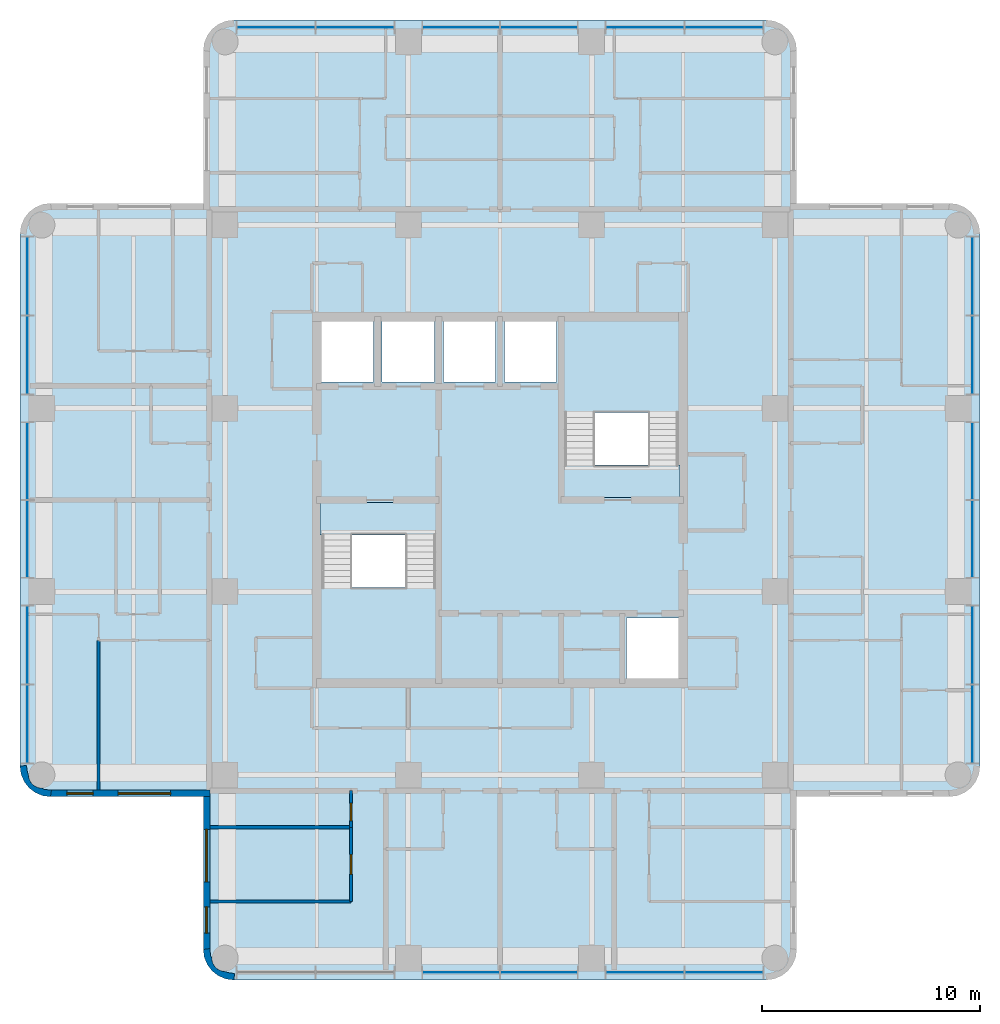
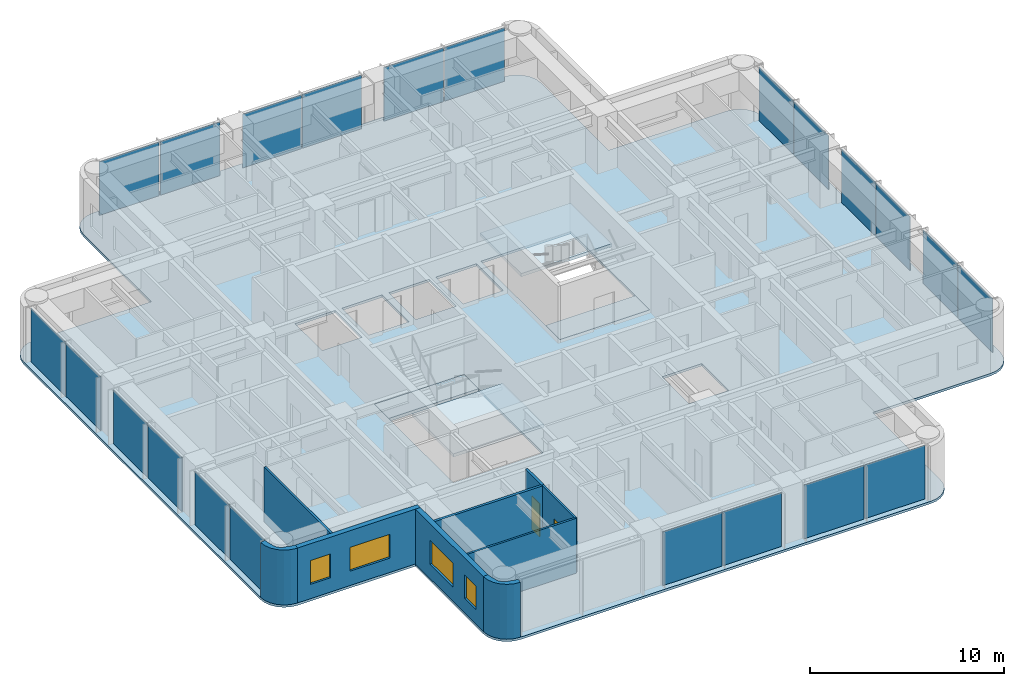
# One storey, part 3 of 10: 22 plates, 9 walls, 5 slabs, 4 windows, 2 doors, 6 openings, 6 elements without a shape of their own.
"""IFC4 building model written with IfcOpenShell, lengths in metres."""

from ifc_helpers import new_model, si_unit, direction, frame, frame_2d, origin, origin_2d, place, context, subcontext, project, spatial, polyline, rectangle, outline, extrude, material, layer, layer_set, type_object, element, fill, aggregate, save


model = new_model("IFC4")

# Units and contexts
model_context = context("Model", 3, precision=1e-05, world=origin(), true_north=direction((0.0, 1.0)))
body_context = subcontext(model_context, "Body", "Model", "MODEL_VIEW")
ifc_project = project(units=[si_unit("LENGTHUNIT", "METRE"), si_unit("AREAUNIT", "SQUARE_METRE"), si_unit("VOLUMEUNIT", "CUBIC_METRE"), si_unit("PLANEANGLEUNIT", "RADIAN"), si_unit("MASSUNIT", "GRAM", prefix="KILO")], contexts=[model_context])

# Site, building, storey
site_placement = place(None, origin())
site = spatial("IfcSite", under=ifc_project, at=site_placement, CompositionType="ELEMENT")
building_placement = place(site_placement, origin())
building = spatial("IfcBuilding", under=site, at=building_placement, Name="Torre Alcanfor", CompositionType="ELEMENT")
storey_placement = place(building_placement, frame((0.0, 0.0, 286.5)))
storey = spatial("IfcBuildingStorey", under=building, at=storey_placement, Name="L75", CompositionType="ELEMENT", Elevation=286.5)

# Curtain wall, plates
ifc_material_1 = material(Name="Aluminium and glass", Category="aluminium")
curtain_wall_type = type_object("IfcCurtainWallType", Name="CW-A unitised apartment glazing with vertical FIN", PredefinedType="NOTDEFINED", material=ifc_material_1)
curtain_wall_1_placement = place(storey_placement, origin())
curtain_wall_1 = element("IfcCurtainWall", 1, at=curtain_wall_1_placement, inside=storey, type_object=curtain_wall_type, Name="Curtain wall CW-A L75 2", PredefinedType="NOTDEFINED")
ifc_material_2 = material(Name="Glass", Category="glass")
ifc_layer_1 = layer(ifc_material_2, 0.028076171875)
ifc_layer_set_1 = layer_set([ifc_layer_1], Name="CW-A clear double glazed unit")
plate_type = type_object("IfcPlateType", Name="CW-A clear double glazed unit", PredefinedType="CURTAIN_PANEL", material=ifc_layer_set_1)
plate_1_placement = place(storey_placement, frame((7.75, 39.664794921875, 0.0), z_axis=(0.0, 0.0, 1.0), x_axis=(0.0, -1.0, 0.0)))
plate_1 = element("IfcPlate", 2, at=plate_1_placement, type_object=plate_type, Name="CW-A panel 1.1.1", PredefinedType="CURTAIN_PANEL", context=body_context, shape_type="SweptSolid", body=[
    extrude(rectangle(XDim=3.55322265625, YDim=0.028076171875, at=origin_2d()), origin(), (0.0, 0.0, 1.0), 3.385009765625),
])
plate_2_placement = place(storey_placement, frame((7.75, 36.046630859375, 0.0), z_axis=(0.0, 0.0, 1.0), x_axis=(0.0, -1.0, 0.0)))
plate_2 = element("IfcPlate", 3, at=plate_2_placement, type_object=plate_type, Name="CW-A panel 1.2.1", PredefinedType="CURTAIN_PANEL", context=body_context, shape_type="SweptSolid", body=[
    extrude(rectangle(XDim=3.55322265625, YDim=0.028076171875, at=origin_2d()), origin(), (0.0, 0.0, 1.0), 3.385009765625),
])
plate_3_placement = place(storey_placement, frame((7.75, 31.18115234375, 0.0), z_axis=(0.0, 0.0, 1.0), x_axis=(0.0, -1.0, 0.0)))
plate_3 = element("IfcPlate", 4, at=plate_3_placement, type_object=plate_type, Name="CW-A panel 2.1.1", PredefinedType="CURTAIN_PANEL", context=body_context, shape_type="SweptSolid", body=[
    extrude(rectangle(XDim=3.49755859375, YDim=0.028076171875, at=origin_2d()), origin(), (0.0, 0.0, 1.0), 3.385009765625),
])
plate_4_placement = place(storey_placement, frame((7.75, 27.61865234375, 0.0), z_axis=(0.0, 0.0, 1.0), x_axis=(0.0, -1.0, 0.0)))
plate_4 = element("IfcPlate", 5, at=plate_4_placement, type_object=plate_type, Name="CW-A panel 2.2.1", PredefinedType="CURTAIN_PANEL", context=body_context, shape_type="SweptSolid", body=[
    extrude(rectangle(XDim=3.49755859375, YDim=0.028076171875, at=origin_2d()), origin(), (0.0, 0.0, 1.0), 3.385009765625),
])
plate_5_placement = place(storey_placement, frame((7.75, 22.75341796875, 0.0), z_axis=(0.0, 0.0, 1.0), x_axis=(0.0, -1.0, 0.0)))
plate_5 = element("IfcPlate", 6, at=plate_5_placement, type_object=plate_type, Name="CW-A panel 3.1.1", PredefinedType="CURTAIN_PANEL", context=body_context, shape_type="SweptSolid", body=[
    extrude(rectangle(XDim=3.55322265625, YDim=0.028076171875, at=origin_2d()), origin(), (0.0, 0.0, 1.0), 3.385009765625),
])
plate_6_placement = place(storey_placement, frame((7.75, 19.135009765625, 0.0), z_axis=(0.0, 0.0, 1.0), x_axis=(0.0, -1.0, 0.0)))
plate_6 = element("IfcPlate", 7, at=plate_6_placement, type_object=plate_type, Name="CW-A panel 3.2.1", PredefinedType="CURTAIN_PANEL", context=body_context, shape_type="SweptSolid", body=[
    extrude(rectangle(XDim=3.55322265625, YDim=0.028076171875, at=origin_2d()), origin(), (0.0, 0.0, 1.0), 3.385009765625),
])
aggregate(curtain_wall_1, [plate_1, plate_2, plate_3, plate_4, plate_5, plate_6])

curtain_wall_2_placement = place(storey_placement, origin())
curtain_wall_2 = element("IfcCurtainWall", 8, at=curtain_wall_2_placement, inside=storey, type_object=curtain_wall_type, Name="Curtain wall CW-A L75 5", PredefinedType="NOTDEFINED")
plate_7_placement = place(storey_placement, frame((27.61865234375, 7.75, 0.0), z_axis=(0.0, 0.0, 1.0), x_axis=(1.0, 0.0, 0.0)))
plate_7 = element("IfcPlate", 9, at=plate_7_placement, type_object=plate_type, Name="CW-A panel 2.1.1", PredefinedType="CURTAIN_PANEL", context=body_context, shape_type="SweptSolid", body=[
    extrude(rectangle(XDim=3.49755859375, YDim=0.028076171875, at=origin_2d()), origin(), (0.0, 0.0, 1.0), 3.385009765625),
])
plate_8_placement = place(storey_placement, frame((31.18115234375, 7.75, 0.0), z_axis=(0.0, 0.0, 1.0), x_axis=(1.0, 0.0, 0.0)))
plate_8 = element("IfcPlate", 10, at=plate_8_placement, type_object=plate_type, Name="CW-A panel 2.2.1", PredefinedType="CURTAIN_PANEL", context=body_context, shape_type="SweptSolid", body=[
    extrude(rectangle(XDim=3.49755859375, YDim=0.028076171875, at=origin_2d()), origin(), (0.0, 0.0, 1.0), 3.385009765625),
])
plate_9_placement = place(storey_placement, frame((36.046630859375, 7.75, 0.0), z_axis=(0.0, 0.0, 1.0), x_axis=(1.0, 0.0, 0.0)))
plate_9 = element("IfcPlate", 11, at=plate_9_placement, type_object=plate_type, Name="CW-A panel 3.1.1", PredefinedType="CURTAIN_PANEL", context=body_context, shape_type="SweptSolid", body=[
    extrude(rectangle(XDim=3.55322265625, YDim=0.028076171875, at=origin_2d()), origin(), (0.0, 0.0, 1.0), 3.385009765625),
])
plate_10_placement = place(storey_placement, frame((39.664794921875, 7.75, 0.0), z_axis=(0.0, 0.0, 1.0), x_axis=(1.0, 0.0, 0.0)))
plate_10 = element("IfcPlate", 12, at=plate_10_placement, type_object=plate_type, Name="CW-A panel 3.2.1", PredefinedType="CURTAIN_PANEL", context=body_context, shape_type="SweptSolid", body=[
    extrude(rectangle(XDim=3.55322265625, YDim=0.028076171875, at=origin_2d()), origin(), (0.0, 0.0, 1.0), 3.385009765625),
])
aggregate(curtain_wall_2, [plate_7, plate_8, plate_9, plate_10])

curtain_wall_3_placement = place(storey_placement, origin())
curtain_wall_3 = element("IfcCurtainWall", 13, at=curtain_wall_3_placement, inside=storey, type_object=curtain_wall_type, Name="Curtain wall CW-A L75 8", PredefinedType="NOTDEFINED")
plate_11_placement = place(storey_placement, frame((51.050048828125, 19.135009765625, 0.0), z_axis=(0.0, 0.0, 1.0), x_axis=(0.0, 1.0, 0.0)))
plate_11 = element("IfcPlate", 14, at=plate_11_placement, type_object=plate_type, Name="CW-A panel 1.1.1", PredefinedType="CURTAIN_PANEL", context=body_context, shape_type="SweptSolid", body=[
    extrude(rectangle(XDim=3.55322265625, YDim=0.028076171875, at=origin_2d()), origin(), (0.0, 0.0, 1.0), 3.385009765625),
])
plate_12_placement = place(storey_placement, frame((51.050048828125, 22.75341796875, 0.0), z_axis=(0.0, 0.0, 1.0), x_axis=(0.0, 1.0, 0.0)))
plate_12 = element("IfcPlate", 15, at=plate_12_placement, type_object=plate_type, Name="CW-A panel 1.2.1", PredefinedType="CURTAIN_PANEL", context=body_context, shape_type="SweptSolid", body=[
    extrude(rectangle(XDim=3.55322265625, YDim=0.028076171875, at=origin_2d()), origin(), (0.0, 0.0, 1.0), 3.385009765625),
])
plate_13_placement = place(storey_placement, frame((51.050048828125, 27.61865234375, 0.0), z_axis=(0.0, 0.0, 1.0), x_axis=(0.0, 1.0, 0.0)))
plate_13 = element("IfcPlate", 16, at=plate_13_placement, type_object=plate_type, Name="CW-A panel 2.1.1", PredefinedType="CURTAIN_PANEL", context=body_context, shape_type="SweptSolid", body=[
    extrude(rectangle(XDim=3.49755859375, YDim=0.028076171875, at=origin_2d()), origin(), (0.0, 0.0, 1.0), 3.385009765625),
])
plate_14_placement = place(storey_placement, frame((51.050048828125, 31.18115234375, 0.0), z_axis=(0.0, 0.0, 1.0), x_axis=(0.0, 1.0, 0.0)))
plate_14 = element("IfcPlate", 17, at=plate_14_placement, type_object=plate_type, Name="CW-A panel 2.2.1", PredefinedType="CURTAIN_PANEL", context=body_context, shape_type="SweptSolid", body=[
    extrude(rectangle(XDim=3.49755859375, YDim=0.028076171875, at=origin_2d()), origin(), (0.0, 0.0, 1.0), 3.385009765625),
])
plate_15_placement = place(storey_placement, frame((51.050048828125, 36.046630859375, 0.0), z_axis=(0.0, 0.0, 1.0), x_axis=(0.0, 1.0, 0.0)))
plate_15 = element("IfcPlate", 18, at=plate_15_placement, type_object=plate_type, Name="CW-A panel 3.1.1", PredefinedType="CURTAIN_PANEL", context=body_context, shape_type="SweptSolid", body=[
    extrude(rectangle(XDim=3.55322265625, YDim=0.028076171875, at=origin_2d()), origin(), (0.0, 0.0, 1.0), 3.385009765625),
])
plate_16_placement = place(storey_placement, frame((51.050048828125, 39.664794921875, 0.0), z_axis=(0.0, 0.0, 1.0), x_axis=(0.0, 1.0, 0.0)))
plate_16 = element("IfcPlate", 19, at=plate_16_placement, type_object=plate_type, Name="CW-A panel 3.2.1", PredefinedType="CURTAIN_PANEL", context=body_context, shape_type="SweptSolid", body=[
    extrude(rectangle(XDim=3.55322265625, YDim=0.028076171875, at=origin_2d()), origin(), (0.0, 0.0, 1.0), 3.385009765625),
])
aggregate(curtain_wall_3, [plate_11, plate_12, plate_13, plate_14, plate_15, plate_16])

curtain_wall_4_placement = place(storey_placement, origin())
curtain_wall_4 = element("IfcCurtainWall", 20, at=curtain_wall_4_placement, inside=storey, type_object=curtain_wall_type, Name="Curtain wall CW-A L75 11", PredefinedType="NOTDEFINED")
plate_17_placement = place(storey_placement, frame((39.664794921875, 51.050048828125, 0.0), z_axis=(0.0, 0.0, 1.0), x_axis=(-1.0, 0.0, 0.0)))
plate_17 = element("IfcPlate", 21, at=plate_17_placement, type_object=plate_type, Name="CW-A panel 1.1.1", PredefinedType="CURTAIN_PANEL", context=body_context, shape_type="SweptSolid", body=[
    extrude(rectangle(XDim=3.55322265625, YDim=0.028076171875, at=origin_2d()), origin(), (0.0, 0.0, 1.0), 3.385009765625),
])
plate_18_placement = place(storey_placement, frame((36.046630859375, 51.050048828125, 0.0), z_axis=(0.0, 0.0, 1.0), x_axis=(-1.0, 0.0, 0.0)))
plate_18 = element("IfcPlate", 22, at=plate_18_placement, type_object=plate_type, Name="CW-A panel 1.2.1", PredefinedType="CURTAIN_PANEL", context=body_context, shape_type="SweptSolid", body=[
    extrude(rectangle(XDim=3.55322265625, YDim=0.028076171875, at=origin_2d()), origin(), (0.0, 0.0, 1.0), 3.385009765625),
])
plate_19_placement = place(storey_placement, frame((31.18115234375, 51.050048828125, 0.0), z_axis=(0.0, 0.0, 1.0), x_axis=(-1.0, 0.0, 0.0)))
plate_19 = element("IfcPlate", 23, at=plate_19_placement, type_object=plate_type, Name="CW-A panel 2.1.1", PredefinedType="CURTAIN_PANEL", context=body_context, shape_type="SweptSolid", body=[
    extrude(rectangle(XDim=3.49755859375, YDim=0.028076171875, at=origin_2d()), origin(), (0.0, 0.0, 1.0), 3.385009765625),
])
plate_20_placement = place(storey_placement, frame((27.61865234375, 51.050048828125, 0.0), z_axis=(0.0, 0.0, 1.0), x_axis=(-1.0, 0.0, 0.0)))
plate_20 = element("IfcPlate", 24, at=plate_20_placement, type_object=plate_type, Name="CW-A panel 2.2.1", PredefinedType="CURTAIN_PANEL", context=body_context, shape_type="SweptSolid", body=[
    extrude(rectangle(XDim=3.49755859375, YDim=0.028076171875, at=origin_2d()), origin(), (0.0, 0.0, 1.0), 3.385009765625),
])
plate_21_placement = place(storey_placement, frame((22.75341796875, 51.050048828125, 0.0), z_axis=(0.0, 0.0, 1.0), x_axis=(-1.0, 0.0, 0.0)))
plate_21 = element("IfcPlate", 25, at=plate_21_placement, type_object=plate_type, Name="CW-A panel 3.1.1", PredefinedType="CURTAIN_PANEL", context=body_context, shape_type="SweptSolid", body=[
    extrude(rectangle(XDim=3.55322265625, YDim=0.028076171875, at=origin_2d()), origin(), (0.0, 0.0, 1.0), 3.385009765625),
])
plate_22_placement = place(storey_placement, frame((19.135009765625, 51.050048828125, 0.0), z_axis=(0.0, 0.0, 1.0), x_axis=(-1.0, 0.0, 0.0)))
plate_22 = element("IfcPlate", 26, at=plate_22_placement, type_object=plate_type, Name="CW-A panel 3.2.1", PredefinedType="CURTAIN_PANEL", context=body_context, shape_type="SweptSolid", body=[
    extrude(rectangle(XDim=3.55322265625, YDim=0.028076171875, at=origin_2d()), origin(), (0.0, 0.0, 1.0), 3.385009765625),
])
aggregate(curtain_wall_4, [plate_17, plate_18, plate_19, plate_20, plate_21, plate_22])

# Slab
ifc_material_3 = material(Name="Concrete f'c 35 MPa", Category="concrete")
ifc_layer_2 = layer(ifc_material_3, 0.14990234375)
ifc_layer_set_2 = layer_set([ifc_layer_2], Name="Composite floor 150 on metal deck")
slab_type_1 = type_object("IfcSlabType", Name="Composite floor 150 on metal deck", PredefinedType="FLOOR", material=ifc_layer_set_2)
slab_1_placement = place(storey_placement, frame((0.0, 0.0, -0.14990234375)))
element("IfcSlab", 27, at=slab_1_placement, inside=storey, type_object=slab_type_1, Name="Floor slab L75", PredefinedType="FLOOR", context=body_context, shape_type="SweptSolid", body=[
    extrude(outline(polyline([(15.800048828125, 43.0), (8.800048828125, 43.0), (8.437744140625, 42.952392578125), (8.10009765625, 42.8125), (7.81005859375, 42.58984375), (7.587646484375, 42.300048828125), (7.44775390625, 41.96240234375), (7.39990234375, 41.60009765625), (7.39990234375, 17.199951171875), (7.44775390625, 16.837646484375), (7.587646484375, 16.5), (7.81005859375, 16.210205078125), (8.10009765625, 15.987548828125), (8.437744140625, 15.84765625), (8.800048828125, 15.800048828125), (15.800048828125, 15.800048828125), (15.800048828125, 8.800048828125), (15.84765625, 8.437744140625), (15.987548828125, 8.10009765625), (16.210205078125, 7.81005859375), (16.5, 7.587646484375), (16.837646484375, 7.44775390625), (17.199951171875, 7.39990234375), (41.60009765625, 7.39990234375), (41.96240234375, 7.44775390625), (42.300048828125, 7.587646484375), (42.58984375, 7.81005859375), (42.8125, 8.10009765625), (42.952392578125, 8.437744140625), (43.0, 8.800048828125), (43.0, 15.800048828125), (50.0, 15.800048828125), (50.3623046875, 15.84765625), (50.699951171875, 15.987548828125), (50.989990234375, 16.210205078125), (51.21240234375, 16.5), (51.352294921875, 16.837646484375), (51.39990234375, 17.199951171875), (51.39990234375, 41.60009765625), (51.352294921875, 41.96240234375), (51.21240234375, 42.300048828125), (50.989990234375, 42.58984375), (50.699951171875, 42.8125), (50.3623046875, 42.952392578125), (50.0, 43.0), (43.0, 43.0), (43.0, 50.0), (42.952392578125, 50.3623046875), (42.8125, 50.699951171875), (42.58984375, 50.989990234375), (42.300048828125, 51.21240234375), (41.96240234375, 51.352294921875), (41.60009765625, 51.39990234375), (17.199951171875, 51.39990234375), (16.837646484375, 51.352294921875), (16.5, 51.21240234375), (16.210205078125, 50.989990234375), (15.987548828125, 50.699951171875), (15.84765625, 50.3623046875), (15.800048828125, 50.0), (15.800048828125, 43.0)]), holes=[polyline([(21.14501953125, 21.14501953125), (26.47998046875, 21.14501953125), (26.47998046875, 29.280029296875), (21.14501953125, 29.280029296875), (21.14501953125, 21.14501953125)]), polyline([(32.320068359375, 29.52001953125), (37.655029296875, 29.52001953125), (37.655029296875, 37.655029296875), (32.320068359375, 37.655029296875), (32.320068359375, 29.52001953125)]), polyline([(35.199951171875, 21.22509765625), (37.574951171875, 21.22509765625), (37.574951171875, 24.0), (35.199951171875, 24.0), (35.199951171875, 21.22509765625)]), polyline([(21.22509765625, 34.800048828125), (23.60009765625, 34.800048828125), (23.60009765625, 37.574951171875), (21.22509765625, 37.574951171875), (21.22509765625, 34.800048828125)]), polyline([(24.0, 34.800048828125), (26.39990234375, 34.800048828125), (26.39990234375, 37.574951171875), (24.0, 37.574951171875), (24.0, 34.800048828125)]), polyline([(26.800048828125, 34.800048828125), (29.199951171875, 34.800048828125), (29.199951171875, 37.574951171875), (26.800048828125, 37.574951171875), (26.800048828125, 34.800048828125)]), polyline([(29.60009765625, 34.800048828125), (32.0, 34.800048828125), (32.0, 37.574951171875), (29.60009765625, 37.574951171875), (29.60009765625, 34.800048828125)])]), origin(), (0.0, 0.0, 1.0), 0.14990234375),
])

# Stair, slabs
ifc_material_4 = material(Name="Concrete f'c 35 MPa", Category="concrete")
stair_type_1 = type_object("IfcStairType", Name="Exit stair S1 1400 wide", PredefinedType="HALF_TURN_STAIR", material=ifc_material_4)
stair_1_placement = place(storey_placement, origin())
stair_1 = element("IfcStair", 28, at=stair_1_placement, inside=storey, type_object=stair_type_1, Name="Stair S1 L75 to L76", PredefinedType="HALF_TURN_STAIR")
ifc_material_5 = material(Name="Concrete f'c 35 MPa", Category="concrete")
ifc_layer_3 = layer(ifc_material_5, 0.199951171875)
ifc_layer_set_3 = layer_set([ifc_layer_3], Name="Stair landing 200")
slab_type_2 = type_object("IfcSlabType", Name="Stair landing 200", PredefinedType="LANDING", material=ifc_layer_set_3)
slab_2_placement = place(storey_placement, frame((0.0, 0.0, -0.199951171875)))
slab_2 = element("IfcSlab", 29, at=slab_2_placement, type_object=slab_type_2, Name="S1 landing 1", PredefinedType="LANDING", context=body_context, shape_type="SweptSolid", body=[
    extrude(outline(polyline([(21.14501953125, 27.800048828125), (26.47998046875, 27.800048828125), (26.47998046875, 29.280029296875), (21.14501953125, 29.280029296875), (21.14501953125, 27.800048828125)])), origin(), (0.0, 0.0, 1.0), 0.199951171875),
])
slab_3_placement = place(storey_placement, frame((0.0, 0.0, 1.60009765625)))
slab_3 = element("IfcSlab", 30, at=slab_3_placement, type_object=slab_type_2, Name="S1 landing 2", PredefinedType="LANDING", context=body_context, shape_type="SweptSolid", body=[
    extrude(outline(polyline([(21.14501953125, 21.14501953125), (26.530029296875, 21.14501953125), (26.530029296875, 25.3798828125), (21.14501953125, 25.3798828125), (21.14501953125, 21.14501953125)])), origin(), (0.0, 0.0, 1.0), 0.199951171875),
])
aggregate(stair_1, [slab_2, slab_3])

ifc_material_6 = material(Name="Concrete f'c 35 MPa", Category="concrete")
stair_type_2 = type_object("IfcStairType", Name="Exit stair S2 1400 wide", PredefinedType="HALF_TURN_STAIR", material=ifc_material_6)
stair_2_placement = place(storey_placement, origin())
stair_2 = element("IfcStair", 31, at=stair_2_placement, inside=storey, type_object=stair_type_2, Name="Stair S2 L75 to L76", PredefinedType="HALF_TURN_STAIR")
slab_4_placement = place(storey_placement, frame((0.0, 0.0, -0.199951171875)))
slab_4 = element("IfcSlab", 32, at=slab_4_placement, type_object=slab_type_2, Name="S2 landing 1", PredefinedType="LANDING", context=body_context, shape_type="SweptSolid", body=[
    extrude(outline(polyline([(32.320068359375, 29.52001953125), (37.655029296875, 29.52001953125), (37.655029296875, 31.0), (32.320068359375, 31.0), (32.320068359375, 29.52001953125)])), origin(), (0.0, 0.0, 1.0), 0.199951171875),
])
slab_5_placement = place(storey_placement, frame((0.0, 0.0, 1.60009765625)))
slab_5 = element("IfcSlab", 33, at=slab_5_placement, type_object=slab_type_2, Name="S2 landing 2", PredefinedType="LANDING", context=body_context, shape_type="SweptSolid", body=[
    extrude(outline(polyline([(32.27001953125, 33.419921875), (37.655029296875, 33.419921875), (37.655029296875, 37.655029296875), (32.27001953125, 37.655029296875), (32.27001953125, 33.419921875)])), origin(), (0.0, 0.0, 1.0), 0.199951171875),
])
aggregate(stair_2, [slab_4, slab_5])

# Wall
ifc_material_7 = material(Name="Gypsum board on steel studs", Category="steel")
ifc_layer_4 = layer(ifc_material_7, 0.1201171875)
ifc_layer_set_4 = layer_set([ifc_layer_4], Name="Apartment partition 120")
wall_type_1 = type_object("IfcWallType", Name="Apartment partition 120", PredefinedType="PARTITIONING", material=ifc_layer_set_4)
wall_1_placement = place(storey_placement, frame((16.10009765625, 11.0, 0.0), z_axis=(0.0, 0.0, 1.0), x_axis=(1.0, 0.0, 0.0)))
element("IfcWall", 34, at=wall_1_placement, inside=storey, type_object=wall_type_1, Name="Partition L75-S2B-LIVING / L75-S2B-MASTER", PredefinedType="PARTITIONING", context=body_context, shape_type="SweptSolid", body=[
    extrude(rectangle(XDim=6.470947265625, YDim=0.1201171875, at=frame_2d((3.2353515625, 0.0))), origin(), (0.0, 0.0, 1.0), 3.449951171875),
])

# Wall, opening, door
wall_2_placement = place(storey_placement, frame((22.571044921875, 11.0, 0.0), z_axis=(0.0, 0.0, 1.0), x_axis=(0.0, 1.0, 0.0)))
wall_2 = element("IfcWall", 35, at=wall_2_placement, inside=storey, type_object=wall_type_1, Name="Partition L75-S2B-LIVING / L75-S2B-MASTER", PredefinedType="PARTITIONING", context=body_context, shape_type="SweptSolid", body=[
    extrude(rectangle(XDim=3.39990234375, YDim=0.1201171875, at=frame_2d((1.699951171875, 0.0))), origin(), (0.0, 0.0, 1.0), 3.449951171875),
])
opening_1_placement = place(wall_2_placement, frame((1.25, 0.0, 0.0)))
opening_1 = element("IfcOpeningElement", 36, at=opening_1_placement, cuts=wall_2, Name="Opening D-R1", PredefinedType="OPENING", context=body_context, shape_type="SweptSolid", body=[
    extrude(rectangle(XDim=0.89990234375, YDim=2.10009765625, at=frame_2d((0.449951171875, 1.050048828125))), frame((0.0, 0.070068359375, 0.0), z_axis=(0.0, -1.0, 0.0), x_axis=(1.0, 0.0, 0.0)), (0.0, 0.0, 1.0), 0.14013671875),
])
ifc_material_8 = material(Name="Timber", Category="wood")
door_type_1 = type_object("IfcDoorType", Name="Internal door 900x2100", OperationType="SINGLE_SWING_LEFT", PredefinedType="DOOR", material=ifc_material_8)
door_1_placement = place(opening_1_placement, origin())
door_1 = element("IfcDoor", 37, at=door_1_placement, inside=storey, type_object=door_type_1, Name="Door L75-S2B master", OperationType="SINGLE_SWING_LEFT", OverallHeight=2.10009765625, OverallWidth=0.89990234375, PredefinedType="DOOR", context=body_context, shape_type="SweptSolid", body=[
    extrude(rectangle(XDim=0.89990234375, YDim=2.10009765625, at=frame_2d((0.449951171875, 1.050048828125))), frame((0.0, 0.02490234375, 0.0), z_axis=(0.0, -1.0, 0.0), x_axis=(1.0, 0.0, 0.0)), (0.0, 0.0, 1.0), 0.050048828125),
])
fill(opening_1, door_1)

# Wall
wall_3_placement = place(storey_placement, frame((11.0, 22.970947265625, 0.0), z_axis=(0.0, 0.0, 1.0), x_axis=(0.0, -1.0, 0.0)))
element("IfcWall", 38, at=wall_3_placement, inside=storey, type_object=wall_type_1, Name="Partition L75-W1-BED2 / L75-W1-MASTER", PredefinedType="PARTITIONING", context=body_context, shape_type="SweptSolid", body=[
    extrude(rectangle(XDim=6.870849609375, YDim=0.1201171875, at=frame_2d((3.435546875, 0.0))), origin(), (0.0, 0.0, 1.0), 3.449951171875),
])

# Wall, openings, windows
ifc_material_9 = material(Name="Limestone cladding", Category="masonry")
ifc_layer_5 = layer(ifc_material_9, 0.0400390625, Name="Facing")
ifc_material_10 = material(Name="Ventilated air cavity")
ifc_layer_6 = layer(ifc_material_10, 0.02001953125, ventilated=True, Name="Ventilated joint")
ifc_material_11 = material(Name="Mineral wool insulation", Category="insulation")
ifc_layer_7 = layer(ifc_material_11, 0.10009765625, Name="Insulation")
ifc_material_12 = material(Name="Concrete f'c 35 MPa", Category="concrete")
ifc_layer_8 = layer(ifc_material_12, 0.139892578125, Name="Backing")
ifc_layer_set_5 = layer_set([ifc_layer_5, ifc_layer_6, ifc_layer_7, ifc_layer_8], Name="External wall stone-clad 300")
wall_type_2 = type_object("IfcWallType", Name="External wall stone-clad 300", PredefinedType="SOLIDWALL", material=ifc_layer_set_5)
wall_4_placement = place(storey_placement, frame((8.800048828125, 15.949951171875, 0.0), z_axis=(0.0, 0.0, 1.0), x_axis=(1.0, 0.0, 0.0)))
wall_4 = element("IfcWall", 39, at=wall_4_placement, inside=storey, type_object=wall_type_2, Name="External wall L75 3", PredefinedType="SOLIDWALL", context=body_context, shape_type="SweptSolid", body=[
    extrude(rectangle(XDim=7.300048828125, YDim=0.300048828125, at=frame_2d((3.64990234375, 0.0))), origin(), (0.0, 0.0, 1.0), 3.449951171875),
])
opening_2_placement = place(wall_4_placement, frame((3.10009765625, 0.0, 0.89990234375)))
opening_2 = element("IfcOpeningElement", 40, at=opening_2_placement, cuts=wall_4, Name="Opening W1", PredefinedType="OPENING", context=body_context, shape_type="SweptSolid", body=[
    extrude(rectangle(XDim=2.39990234375, YDim=1.5, at=frame_2d((1.199951171875, 0.75))), frame((0.0, 0.159912109375, 0.0), z_axis=(0.0, -1.0, 0.0), x_axis=(1.0, 0.0, 0.0)), (0.0, 0.0, 1.0), 0.320068359375),
])
opening_3_placement = place(wall_4_placement, frame((0.75, 0.0, 0.89990234375)))
opening_3 = element("IfcOpeningElement", 41, at=opening_3_placement, cuts=wall_4, Name="Opening W4", PredefinedType="OPENING", context=body_context, shape_type="SweptSolid", body=[
    extrude(rectangle(XDim=1.199951171875, YDim=1.5, at=frame_2d((0.60009765625, 0.75))), frame((0.0, 0.159912109375, 0.0), z_axis=(0.0, -1.0, 0.0), x_axis=(1.0, 0.0, 0.0)), (0.0, 0.0, 1.0), 0.320068359375),
])
ifc_material_13 = material(Name="Aluminium frame with clear double glazing", Category="aluminium")
window_type_1 = type_object("IfcWindowType", Name="Window bedroom 1200x1500", PartitioningType="SINGLE_PANEL", PredefinedType="WINDOW", material=ifc_material_13)
window_1_placement = place(opening_3_placement, origin())
window_1 = element("IfcWindow", 42, at=window_1_placement, inside=storey, type_object=window_type_1, Name="Window W4 L75-W1", OverallHeight=1.5, OverallWidth=1.199951171875, PartitioningType="SINGLE_PANEL", PredefinedType="WINDOW", context=body_context, shape_type="SweptSolid", body=[
    extrude(rectangle(XDim=1.199951171875, YDim=1.5, at=frame_2d((0.60009765625, 0.75))), frame((0.0, 0.030029296875, 0.0), z_axis=(0.0, -1.0, 0.0), x_axis=(1.0, 0.0, 0.0)), (0.0, 0.0, 1.0), 0.06005859375),
])
fill(opening_3, window_1)
ifc_material_14 = material(Name="Aluminium frame with clear double glazing", Category="aluminium")
window_type_2 = type_object("IfcWindowType", Name="Window bedroom 2400x1500", PartitioningType="SINGLE_PANEL", PredefinedType="WINDOW", material=ifc_material_14)
window_2_placement = place(opening_2_placement, origin())
window_2 = element("IfcWindow", 43, at=window_2_placement, inside=storey, type_object=window_type_2, Name="Window W1 L75-W1", OverallHeight=1.5, OverallWidth=2.39990234375, PartitioningType="SINGLE_PANEL", PredefinedType="WINDOW", context=body_context, shape_type="SweptSolid", body=[
    extrude(rectangle(XDim=2.39990234375, YDim=1.5, at=frame_2d((1.199951171875, 0.75))), frame((0.0, 0.030029296875, 0.0), z_axis=(0.0, -1.0, 0.0), x_axis=(1.0, 0.0, 0.0)), (0.0, 0.0, 1.0), 0.06005859375),
])
fill(opening_2, window_2)

wall_5_placement = place(storey_placement, frame((15.949951171875, 15.800048828125, 0.0), z_axis=(0.0, 0.0, 1.0), x_axis=(0.0, -1.0, 0.0)))
wall_5 = element("IfcWall", 44, at=wall_5_placement, inside=storey, type_object=wall_type_2, Name="External wall L75 4", PredefinedType="SOLIDWALL", context=body_context, shape_type="SweptSolid", body=[
    extrude(rectangle(XDim=7.0, YDim=0.300048828125, at=frame_2d((3.5, 0.0))), origin(), (0.0, 0.0, 1.0), 3.449951171875),
])
opening_4_placement = place(wall_5_placement, frame((1.5, 0.0, 0.89990234375)))
opening_4 = element("IfcOpeningElement", 45, at=opening_4_placement, cuts=wall_5, Name="Opening W1", PredefinedType="OPENING", context=body_context, shape_type="SweptSolid", body=[
    extrude(rectangle(XDim=2.39990234375, YDim=1.5, at=frame_2d((1.199951171875, 0.75))), frame((0.0, 0.159912109375, 0.0), z_axis=(0.0, -1.0, 0.0), x_axis=(1.0, 0.0, 0.0)), (0.0, 0.0, 1.0), 0.320068359375),
])
opening_5_placement = place(wall_5_placement, frame((5.050048828125, 0.0, 0.89990234375)))
opening_5 = element("IfcOpeningElement", 46, at=opening_5_placement, cuts=wall_5, Name="Opening W4", PredefinedType="OPENING", context=body_context, shape_type="SweptSolid", body=[
    extrude(rectangle(XDim=1.199951171875, YDim=1.5, at=frame_2d((0.60009765625, 0.75))), frame((0.0, 0.159912109375, 0.0), z_axis=(0.0, -1.0, 0.0), x_axis=(1.0, 0.0, 0.0)), (0.0, 0.0, 1.0), 0.320068359375),
])
window_3_placement = place(opening_5_placement, origin())
window_3 = element("IfcWindow", 47, at=window_3_placement, inside=storey, type_object=window_type_1, Name="Window W4 L75-S2", OverallHeight=1.5, OverallWidth=1.199951171875, PartitioningType="SINGLE_PANEL", PredefinedType="WINDOW", context=body_context, shape_type="SweptSolid", body=[
    extrude(rectangle(XDim=1.199951171875, YDim=1.5, at=frame_2d((0.60009765625, 0.75))), frame((0.0, 0.030029296875, 0.0), z_axis=(0.0, -1.0, 0.0), x_axis=(1.0, 0.0, 0.0)), (0.0, 0.0, 1.0), 0.06005859375),
])
fill(opening_5, window_3)
window_4_placement = place(opening_4_placement, origin())
window_4 = element("IfcWindow", 48, at=window_4_placement, inside=storey, type_object=window_type_2, Name="Window W1 L75-S2", OverallHeight=1.5, OverallWidth=2.39990234375, PartitioningType="SINGLE_PANEL", PredefinedType="WINDOW", context=body_context, shape_type="SweptSolid", body=[
    extrude(rectangle(XDim=2.39990234375, YDim=1.5, at=frame_2d((1.199951171875, 0.75))), frame((0.0, 0.030029296875, 0.0), z_axis=(0.0, -1.0, 0.0), x_axis=(1.0, 0.0, 0.0)), (0.0, 0.0, 1.0), 0.06005859375),
])
fill(opening_4, window_4)

# Walls
ifc_layer_9 = layer(ifc_material_9, 0.0400390625, Name="Facing")
ifc_layer_10 = layer(ifc_material_10, 0.02001953125, ventilated=True, Name="Ventilated joint")
ifc_layer_11 = layer(ifc_material_11, 0.10009765625, Name="Insulation")
ifc_layer_12 = layer(ifc_material_12, 0.139892578125, Name="Backing")
ifc_layer_set_6 = layer_set([ifc_layer_9, ifc_layer_10, ifc_layer_11, ifc_layer_12], Name="Rounded corner pier stone-clad 300")
wall_type_3 = type_object("IfcWallType", Name="Rounded corner pier stone-clad 300", PredefinedType="SOLIDWALL", material=ifc_layer_set_6)
wall_6_placement = place(storey_placement, frame((7.824101883, 17.161581746, 0.0), z_axis=(0.0, 0.0, 1.0), x_axis=(-0.707106781187, -0.707106781187, 0.0)))
element("IfcWall", 49, at=wall_6_placement, inside=storey, type_object=wall_type_3, Name="Corner pier L75 14", PredefinedType="SOLIDWALL", context=body_context, shape_type="SweptSolid", body=[
    extrude(outline(polyline([(0.04667321568762184, 1.4544919802800873), (0.23311738650829356, 1.2117692912302127), (0.29215804060150635, 1.069174027250699), (0.3579314008632433, 1.0034006669889621), (0.4494271513585729, 0.7824297978681659), (0.4494271513585729, 0.5431597786483039), (0.35793140086324327, 0.322534176510509), (0.2921580406015063, 0.256760816248772), (0.23311738650829356, 0.11416555226925829), (0.046673215687621845, -0.12890240376361745), (0.032689902876071465, -0.14288571657516783), (0.2728230895534366, -0.32708565200633144), (0.4951750266062377, -0.037061386285286546), (0.6350081547217414, 0.30060972308993), (0.6826549983759133, 0.6627947882582349), (0.6350081547217414, 1.025325120409541), (0.49517502660623774, 1.3629962297847575), (0.27265045606193605, 1.652847862014302), (0.03251726938457078, 1.4686479265831383), (0.04667321568762184, 1.4544919802800873)])), origin(), (0.0, 0.0, 1.0), 3.449951171875),
])
wall_7_placement = place(storey_placement, frame((16.224101883, 8.761581746, 0.0), z_axis=(0.0, 0.0, 1.0), x_axis=(-0.707106781187, -0.707106781187, 0.0)))
element("IfcWall", 50, at=wall_7_placement, inside=storey, type_object=wall_type_3, Name="Corner pier L75 15", PredefinedType="SOLIDWALL", context=body_context, shape_type="SweptSolid", body=[
    extrude(outline(polyline([(0.032689902876070875, 1.4686824532814384), (0.04667321568762128, 1.4546991404698881), (0.233117386508293, 1.2116311844370125), (0.29215804060150563, 1.0690359204574986), (0.3579314008632426, 1.0032625601957617), (0.44942715135857225, 0.7826369580579667), (0.44942715135857225, 0.5433669388381047), (0.3579314008632426, 0.3223960697173086), (0.29215804060150563, 0.25662270945557164), (0.23311738650829295, 0.11402744547605792), (0.04667321568762121, -0.12869524357381656), (0.03251726938457021, -0.14285118987686757), (0.27265045606193533, -0.3270511253080312), (0.49517502660623713, -0.03719949307848694), (0.6350081547217409, 0.3004716162967297), (0.6826549983759126, 0.6630019484480357), (0.6350081547217409, 1.0251870136163408), (0.495175026606237, 1.362858122991557), (0.27282308955343604, 1.652882388712602), (0.032689902876070875, 1.4686824532814384)])), origin(), (0.0, 0.0, 1.0), 3.449951171875),
])

# Wall, opening, door
ifc_material_15 = material(Name="Cement board on steel studs", Category="steel")
ifc_layer_13 = layer(ifc_material_15, 0.14990234375)
ifc_layer_set_7 = layer_set([ifc_layer_13], Name="Wet area partition 150")
wall_type_4 = type_object("IfcWallType", Name="Wet area partition 150", PredefinedType="PARTITIONING", material=ifc_layer_set_7)
wall_8_placement = place(storey_placement, frame((22.571044921875, 14.39990234375, 0.0), z_axis=(0.0, 0.0, 1.0), x_axis=(0.0, 1.0, 0.0)))
wall_8 = element("IfcWall", 51, at=wall_8_placement, inside=storey, type_object=wall_type_4, Name="Partition L75-S2B-LIVING / L75-S2B-BATH", PredefinedType="PARTITIONING", context=body_context, shape_type="SweptSolid", body=[
    extrude(rectangle(XDim=1.675048828125, YDim=0.14990234375, at=frame_2d((0.83740234375, 0.0))), origin(), (0.0, 0.0, 1.0), 3.449951171875),
])
opening_6_placement = place(wall_8_placement, frame((0.300048828125, 0.0, 0.0)))
opening_6 = element("IfcOpeningElement", 52, at=opening_6_placement, cuts=wall_8, Name="Opening D-R2", PredefinedType="OPENING", context=body_context, shape_type="SweptSolid", body=[
    extrude(rectangle(XDim=0.800048828125, YDim=2.10009765625, at=frame_2d((0.39990234375, 1.050048828125))), frame((0.0, 0.0849609375, 0.0), z_axis=(0.0, -1.0, 0.0), x_axis=(1.0, 0.0, 0.0)), (0.0, 0.0, 1.0), 0.169921875),
])
ifc_material_16 = material(Name="Timber", Category="wood")
door_type_2 = type_object("IfcDoorType", Name="Bathroom door 800x2100", OperationType="SINGLE_SWING_LEFT", PredefinedType="DOOR", material=ifc_material_16)
door_2_placement = place(opening_6_placement, origin())
door_2 = element("IfcDoor", 53, at=door_2_placement, inside=storey, type_object=door_type_2, Name="Door L75-S2B bath", OperationType="SINGLE_SWING_LEFT", OverallHeight=2.10009765625, OverallWidth=0.800048828125, PredefinedType="DOOR", context=body_context, shape_type="SweptSolid", body=[
    extrude(rectangle(XDim=0.800048828125, YDim=2.10009765625, at=frame_2d((0.39990234375, 1.050048828125))), frame((0.0, 0.02490234375, 0.0), z_axis=(0.0, -1.0, 0.0), x_axis=(1.0, 0.0, 0.0)), (0.0, 0.0, 1.0), 0.050048828125),
])
fill(opening_6, door_2)

# Wall
wall_9_placement = place(storey_placement, frame((22.571044921875, 14.39990234375, 0.0), z_axis=(0.0, 0.0, 1.0), x_axis=(-1.0, 0.0, 0.0)))
element("IfcWall", 54, at=wall_9_placement, inside=storey, type_object=wall_type_4, Name="Partition L75-S2B-BATH / L75-S2B-MASTER", PredefinedType="PARTITIONING", context=body_context, shape_type="SweptSolid", body=[
    extrude(rectangle(XDim=6.470947265625, YDim=0.14990234375, at=frame_2d((3.2353515625, 0.0))), origin(), (0.0, 0.0, 1.0), 3.449951171875),
])

save(model, "model.ifc")
